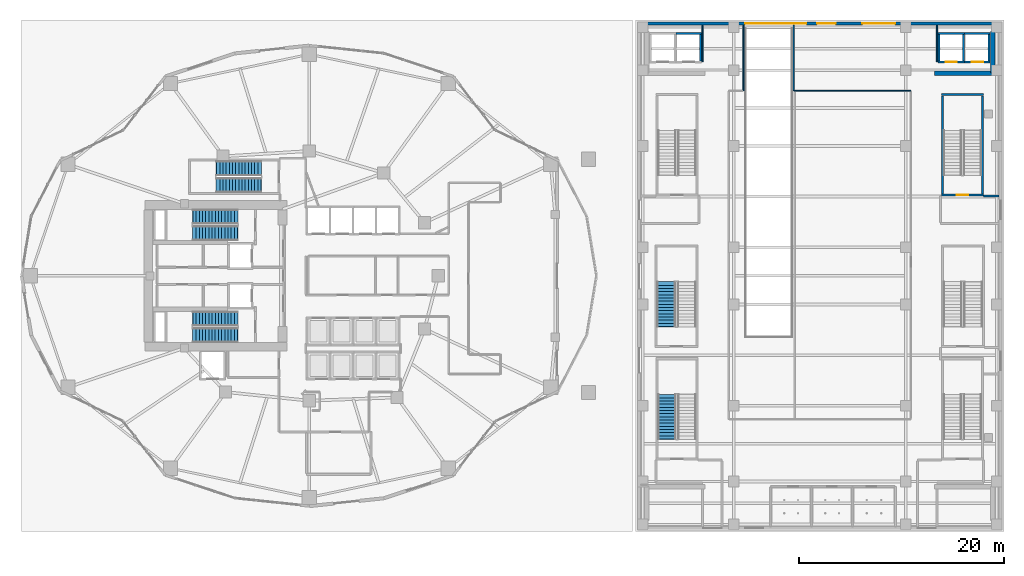
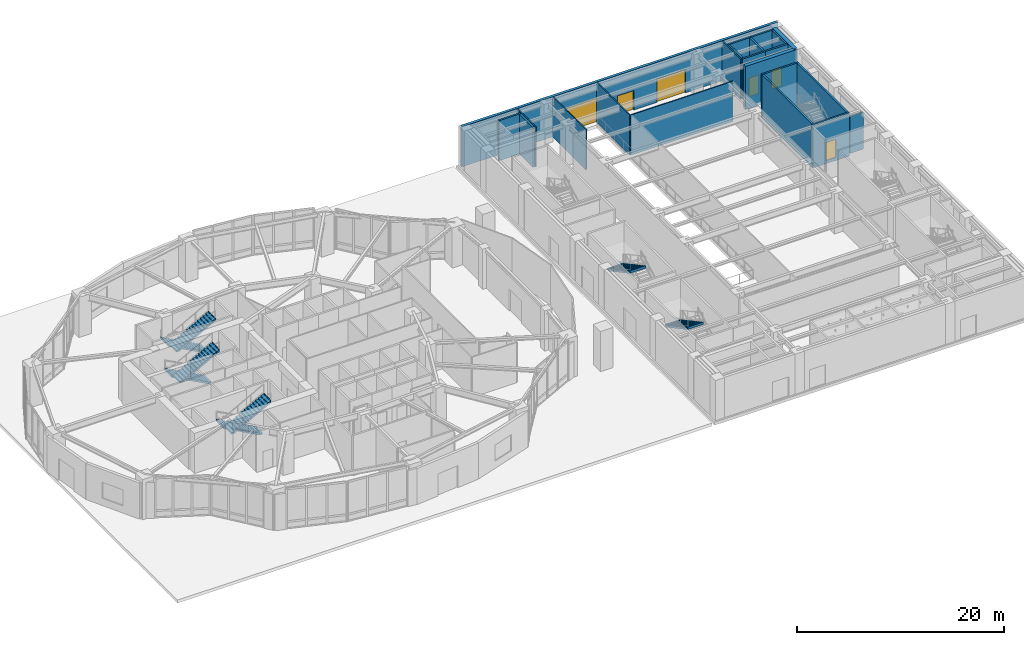
# One storey, part 16 of 23: 22 walls, 8 stair flights, 6 doors, 6 openings, 5 elements without a shape of their own.
"""IFC4 building model written with IfcOpenShell, lengths in metres."""

from ifc_helpers import new_model, si_unit, direction, frame, frame_2d, origin, place, context, subcontext, project, spatial, polyline, rectangle, outline, extrude, material, layer, layer_set, type_object, element, fill, aggregate, save


model = new_model("IFC4")

# Units and contexts
model_context = context("Model", 3, precision=1e-05, world=origin(), true_north=direction((0.0, 1.0)))
body_context = subcontext(model_context, "Body", "Model", "MODEL_VIEW")
ifc_project = project(units=[si_unit("LENGTHUNIT", "METRE"), si_unit("AREAUNIT", "SQUARE_METRE"), si_unit("VOLUMEUNIT", "CUBIC_METRE"), si_unit("PLANEANGLEUNIT", "RADIAN"), si_unit("MASSUNIT", "GRAM", prefix="KILO")], contexts=[model_context])

# Site, building, storey
site_placement = place(None, origin())
site = spatial("IfcSite", under=ifc_project, at=site_placement, CompositionType="ELEMENT")
building_placement = place(site_placement, origin())
building = spatial("IfcBuilding", under=site, at=building_placement, Name="Kolvaren Gate Tower and Convention Centre", CompositionType="ELEMENT")
storey_placement = place(building_placement, origin())
storey = spatial("IfcBuildingStorey", under=building, at=storey_placement, Name="L00", CompositionType="ELEMENT", Elevation=0.0)

# Walls
ifc_material_1 = material(Name="Fire-Rated Acoustic Gypsum Stud Partition", Category="gypsum")
ifc_layer_1 = layer(ifc_material_1, 0.1201171875)
ifc_layer_set_1 = layer_set([ifc_layer_1], Name="Fire-Rated Acoustic Gypsum Stud Partition")
wall_type_1 = type_object("IfcWallType", Name="ARCH-WL-PART-120", PredefinedType="PARTITIONING", material=ifc_layer_set_1)
for number, where, z_axis, x_axis, name in (
    (1, (68.550048828125, 47.89990234375, 0.0), (0.0, 0.0, 1.0), (0.0, 1.0, 0.0), "Interior Partition WL-L00-INT-058"),
    (2, (91.449951171875, 47.89990234375, 0.0), (0.0, 0.0, 1.0), (0.0, 1.0, 0.0), "Interior Partition WL-L00-INT-070"),
):
    element("IfcWall", number, at=place(storey_placement, frame(where, z_axis=z_axis, x_axis=x_axis)), inside=storey, type_object=wall_type_1, Name=name, PredefinedType="PARTITIONING", context=body_context, shape_type="SweptSolid", body=[
        extrude(rectangle(XDim=3.59814453125, YDim=0.1201171875, at=frame_2d((1.799072265625, 0.0))), origin(), (0.0, 0.0, 1.0), 4.739990234375),
    ])
for number, where, z_axis, x_axis, name in (
    (3, (77.449951171875, 45.10009765625, 0.0), (0.0, 0.0, 1.0), (0.0, 1.0, 0.0), "Interior Partition WL-L00-INT-076"),
    (4, (72.550048828125, 45.10009765625, 0.0), (0.0, 0.0, 1.0), (0.0, 1.0, 0.0), "Interior Partition WL-L00-INT-077"),
):
    element("IfcWall", number, at=place(storey_placement, frame(where, z_axis=z_axis, x_axis=x_axis)), inside=storey, type_object=wall_type_1, Name=name, PredefinedType="PARTITIONING", context=body_context, shape_type="SweptSolid", body=[
        extrude(rectangle(XDim=6.39794921875, YDim=0.1201171875, at=frame_2d((3.198974609375, 0.0))), origin(), (0.0, 0.0, 1.0), 4.739990234375),
    ])
wall_1_placement = place(storey_placement, frame((77.511962890625, 45.10009765625, 0.0), z_axis=(0.0, 0.0, 1.0), x_axis=(1.0, 0.0, 0.0)))
element("IfcWall", 5, at=wall_1_placement, inside=storey, type_object=wall_type_1, Name="Interior Partition WL-L00-INT-079", PredefinedType="PARTITIONING", context=body_context, shape_type="SweptSolid", body=[
    extrude(rectangle(XDim=11.387939453125, YDim=0.1201171875, at=frame_2d((5.69384765625, 0.0))), origin(), (0.0, 0.0, 1.0), 4.739990234375),
])
ifc_material_2 = material(Name="Autoclaved Aerated Masonry Blockwork Class 4 (4.0 MPa)", Category="masonry")
ifc_layer_2 = layer(ifc_material_2, 0.199951171875)
ifc_layer_set_2 = layer_set([ifc_layer_2], Name="Autoclaved Aerated Masonry Blockwork Class 4 (4.0 MPa)")
wall_type_2 = type_object("IfcWallType", Name="ARCH-WL-SHAFT-200", PredefinedType="SOLIDWALL", material=ifc_layer_set_2)
wall_2_placement = place(storey_placement, frame((65.949951171875, 50.699951171875, 0.0), z_axis=(0.0, 0.0, 1.0), x_axis=(1.0, 0.0, 0.0)))
element("IfcWall", 6, at=wall_2_placement, inside=storey, type_object=wall_type_2, Name="Elevator CL-02 L00 Fire Shaft Wall N", PredefinedType="SOLIDWALL", context=body_context, shape_type="SweptSolid", body=[
    extrude(rectangle(XDim=2.5, YDim=0.199951171875, at=frame_2d((1.25, 0.0))), origin(), (0.0, 0.0, 1.0), 4.739990234375),
])
wall_3_placement = place(storey_placement, frame((68.35009765625, 48.010009765625, 0.0), z_axis=(0.0, 0.0, 1.0), x_axis=(0.0, 1.0, 0.0)))
element("IfcWall", 7, at=wall_3_placement, inside=storey, type_object=wall_type_2, Name="Elevator CL-02 L00 Fire Shaft Wall E", PredefinedType="SOLIDWALL", context=body_context, shape_type="SweptSolid", body=[
    extrude(rectangle(XDim=2.580078125, YDim=0.199951171875, at=frame_2d((1.2900390625, 0.0))), origin(), (0.0, 0.0, 1.0), 4.739990234375),
])
wall_4_placement = place(storey_placement, frame((91.550048828125, 50.699951171875, 0.0), z_axis=(0.0, 0.0, 1.0), x_axis=(1.0, 0.0, 0.0)))
element("IfcWall", 8, at=wall_4_placement, inside=storey, type_object=wall_type_2, Name="Elevator CL-03 L00 Fire Shaft Wall N", PredefinedType="SOLIDWALL", context=body_context, shape_type="SweptSolid", body=[
    extrude(rectangle(XDim=2.599853515625, YDim=0.199951171875, at=frame_2d((1.2998046875, 0.0))), origin(), (0.0, 0.0, 1.0), 4.739990234375),
])

# Wall, opening, door
wall_5_placement = place(storey_placement, frame((91.550048828125, 47.89990234375, 0.0), z_axis=(0.0, 0.0, 1.0), x_axis=(1.0, 0.0, 0.0)))
wall_5 = element("IfcWall", 9, at=wall_5_placement, inside=storey, type_object=wall_type_2, Name="Elevator CL-03 L00 Fire Shaft Wall S", PredefinedType="SOLIDWALL", context=body_context, shape_type="SweptSolid", body=[
    extrude(rectangle(XDim=2.599853515625, YDim=0.199951171875, at=frame_2d((1.2998046875, 0.0))), origin(), (0.0, 0.0, 1.0), 4.739990234375),
])
opening_1_placement = place(wall_5_placement, frame((0.75, 0.0, 0.0)))
opening_1 = element("IfcOpeningElement", 10, at=opening_1_placement, cuts=wall_5, Name="Opening LD", PredefinedType="OPENING", context=body_context, shape_type="SweptSolid", body=[
    extrude(rectangle(XDim=1.10009765625, YDim=2.199951171875, at=frame_2d((0.550048828125, 1.10009765625))), frame((0.0, 0.10986328125, 0.0), z_axis=(0.0, -1.0, 0.0), x_axis=(1.0, 0.0, 0.0)), (0.0, 0.0, 1.0), 0.219970703125),
])
ifc_material_3 = material(Name="Brushed Stainless Steel Grade 316L", Category="steel")
door_type_1 = type_object("IfcDoorType", Name="ARCH-DR-LIFT-1100", OperationType="SLIDING_TO_LEFT", PredefinedType="DOOR", material=ifc_material_3)
door_1_placement = place(opening_1_placement, origin())
door_1 = element("IfcDoor", 11, at=door_1_placement, inside=storey, type_object=door_type_1, Name="Elevator CL-03 L00 Sliding Landing Door", OperationType="SLIDING_TO_LEFT", OverallHeight=2.199951171875, OverallWidth=1.10009765625, PredefinedType="DOOR", context=body_context, shape_type="SweptSolid", body=[
    extrude(rectangle(XDim=1.10009765625, YDim=2.199951171875, at=frame_2d((0.550048828125, 1.10009765625))), frame((0.0, 0.02490234375, 0.0), z_axis=(0.0, -1.0, 0.0), x_axis=(1.0, 0.0, 0.0)), (0.0, 0.0, 1.0), 0.050048828125),
])
fill(opening_1, door_1)

# Walls
for number, where, z_axis, x_axis, name in (
    (12, (91.64990234375, 48.010009765625, 0.0), (0.0, 0.0, 1.0), (0.0, 1.0, 0.0), "Elevator CL-03 L00 Fire Shaft Wall W"),
    (13, (94.050048828125, 48.010009765625, 0.0), (0.0, 0.0, 1.0), (0.0, 1.0, 0.0), "Elevator CL-03 L00 Fire Shaft Wall E"),
):
    element("IfcWall", number, at=place(storey_placement, frame(where, z_axis=z_axis, x_axis=x_axis)), inside=storey, type_object=wall_type_2, Name=name, PredefinedType="SOLIDWALL", context=body_context, shape_type="SweptSolid", body=[
        extrude(rectangle(XDim=2.580078125, YDim=0.199951171875, at=frame_2d((1.2900390625, 0.0))), origin(), (0.0, 0.0, 1.0), 4.739990234375),
    ])
wall_6_placement = place(storey_placement, frame((94.14990234375, 50.699951171875, 0.0), z_axis=(0.0, 0.0, 1.0), x_axis=(1.0, 0.0, 0.0)))
element("IfcWall", 14, at=wall_6_placement, inside=storey, type_object=wall_type_2, Name="Elevator CL-04 L00 Fire Shaft Wall N", PredefinedType="SOLIDWALL", context=body_context, shape_type="SweptSolid", body=[
    extrude(rectangle(XDim=2.5, YDim=0.199951171875, at=frame_2d((1.25, 0.0))), origin(), (0.0, 0.0, 1.0), 4.739990234375),
])

# Wall, opening, door
wall_7_placement = place(storey_placement, frame((94.14990234375, 47.89990234375, 0.0), z_axis=(0.0, 0.0, 1.0), x_axis=(1.0, 0.0, 0.0)))
wall_7 = element("IfcWall", 15, at=wall_7_placement, inside=storey, type_object=wall_type_2, Name="Elevator CL-04 L00 Fire Shaft Wall S", PredefinedType="SOLIDWALL", context=body_context, shape_type="SweptSolid", body=[
    extrude(rectangle(XDim=2.5, YDim=0.199951171875, at=frame_2d((1.25, 0.0))), origin(), (0.0, 0.0, 1.0), 4.739990234375),
])
opening_2_placement = place(wall_7_placement, frame((0.699951171875, 0.0, 0.0)))
opening_2 = element("IfcOpeningElement", 16, at=opening_2_placement, cuts=wall_7, Name="Opening LD", PredefinedType="OPENING", context=body_context, shape_type="SweptSolid", body=[
    extrude(rectangle(XDim=1.10009765625, YDim=2.199951171875, at=frame_2d((0.550048828125, 1.10009765625))), frame((0.0, 0.10986328125, 0.0), z_axis=(0.0, -1.0, 0.0), x_axis=(1.0, 0.0, 0.0)), (0.0, 0.0, 1.0), 0.219970703125),
])
door_2_placement = place(opening_2_placement, origin())
door_2 = element("IfcDoor", 17, at=door_2_placement, inside=storey, type_object=door_type_1, Name="Elevator CL-04 L00 Sliding Landing Door", OperationType="SLIDING_TO_LEFT", OverallHeight=2.199951171875, OverallWidth=1.10009765625, PredefinedType="DOOR", context=body_context, shape_type="SweptSolid", body=[
    extrude(rectangle(XDim=1.10009765625, YDim=2.199951171875, at=frame_2d((0.550048828125, 1.10009765625))), frame((0.0, 0.02490234375, 0.0), z_axis=(0.0, -1.0, 0.0), x_axis=(1.0, 0.0, 0.0)), (0.0, 0.0, 1.0), 0.050048828125),
])
fill(opening_2, door_2)

# Walls
wall_8_placement = place(storey_placement, frame((96.550048828125, 48.010009765625, 0.0), z_axis=(0.0, 0.0, 1.0), x_axis=(0.0, 1.0, 0.0)))
element("IfcWall", 18, at=wall_8_placement, inside=storey, type_object=wall_type_2, Name="Elevator CL-04 L00 Fire Shaft Wall E", PredefinedType="SOLIDWALL", context=body_context, shape_type="SweptSolid", body=[
    extrude(rectangle(XDim=2.580078125, YDim=0.199951171875, at=frame_2d((1.2900390625, 0.0))), origin(), (0.0, 0.0, 1.0), 4.739990234375),
])
wall_9_placement = place(storey_placement, frame((96.0, 34.800048828125, 0.0), z_axis=(0.0, 0.0, 1.0), x_axis=(1.0, 0.0, 0.0)))
element("IfcWall", 19, at=wall_9_placement, inside=storey, type_object=wall_type_2, Name="Interior Partition WL-L00-INT-056", PredefinedType="SOLIDWALL", context=body_context, shape_type="SweptSolid", body=[
    extrude(rectangle(XDim=1.498046875, YDim=0.199951171875, at=frame_2d((0.7490234375, 0.0))), origin(), (0.0, 0.0, 1.0), 4.375),
])

# Wall, openings, doors
ifc_material_4 = material(Name="Piedmont Cream Honed Limestone Cladding", Category="masonry")
ifc_layer_3 = layer(ifc_material_4, 0.300048828125)
ifc_layer_set_3 = layer_set([ifc_layer_3], Name="Piedmont Cream Honed Limestone Cladding")
wall_type_3 = type_object("IfcWallType", Name="ARCH-WL-STONE-300", PredefinedType="SOLIDWALL", material=ifc_layer_set_3)
wall_10_placement = place(storey_placement, frame((62.35009765625, 51.64990234375, 0.0), z_axis=(0.0, 0.0, 1.0), x_axis=(1.0, 0.0, 0.0)))
wall_10 = element("IfcWall", 20, at=wall_10_placement, inside=storey, type_object=wall_type_3, Name="Convention Centre L00 N Stone Facade Wall", PredefinedType="SOLIDWALL", context=body_context, shape_type="SweptSolid", body=[
    extrude(rectangle(XDim=35.2998046875, YDim=0.300048828125, at=frame_2d((17.64990234375, 0.0))), origin(), (0.0, 0.0, 1.0), 4.739990234375),
])
opening_3_placement = place(wall_10_placement, frame((10.35009765625, 0.0, 0.0)))
opening_3 = element("IfcOpeningElement", 21, at=opening_3_placement, cuts=wall_10, Name="Opening VG-01", PredefinedType="OPENING", context=body_context, shape_type="SweptSolid", body=[
    extrude(rectangle(XDim=6.0, YDim=2.85009765625, at=frame_2d((3.0, 1.425048828125))), frame((0.0, 0.159912109375, 0.0), z_axis=(0.0, -1.0, 0.0), x_axis=(1.0, 0.0, 0.0)), (0.0, 0.0, 1.0), 0.320068359375),
])
opening_4_placement = place(wall_10_placement, frame((17.39990234375, 0.0, 0.0)))
opening_4 = element("IfcOpeningElement", 22, at=opening_4_placement, cuts=wall_10, Name="Opening DX-01", PredefinedType="OPENING", context=body_context, shape_type="SweptSolid", body=[
    extrude(rectangle(XDim=1.800048828125, YDim=2.300048828125, at=frame_2d((0.89990234375, 1.14990234375))), frame((0.0, 0.159912109375, 0.0), z_axis=(0.0, -1.0, 0.0), x_axis=(1.0, 0.0, 0.0)), (0.0, 0.0, 1.0), 0.320068359375),
])
opening_5_placement = place(wall_10_placement, frame((21.800048828125, 0.0, 0.0)))
opening_5 = element("IfcOpeningElement", 23, at=opening_5_placement, cuts=wall_10, Name="Opening DG-01", PredefinedType="OPENING", context=body_context, shape_type="SweptSolid", body=[
    extrude(rectangle(XDim=3.199951171875, YDim=2.75, at=frame_2d((1.60009765625, 1.375))), frame((0.0, 0.159912109375, 0.0), z_axis=(0.0, -1.0, 0.0), x_axis=(1.0, 0.0, 0.0)), (0.0, 0.0, 1.0), 0.320068359375),
])
ifc_material_5 = material(Name="Anodized Architectural Aluminium Alloy 6063-T6", Category="aluminium")
door_type_2 = type_object("IfcDoorType", Name="ARCH-DR-DOCK-3200", OperationType="ROLLINGUP", PredefinedType="GATE", material=ifc_material_5)
door_3_placement = place(opening_5_placement, origin())
door_3 = element("IfcDoor", 24, at=door_3_placement, inside=storey, type_object=door_type_2, Name="Convention Service Loading Bay Gate DG-01", OperationType="ROLLINGUP", OverallHeight=2.75, OverallWidth=3.199951171875, PredefinedType="GATE", context=body_context, shape_type="SweptSolid", body=[
    extrude(rectangle(XDim=3.199951171875, YDim=2.75, at=frame_2d((1.60009765625, 1.375))), frame((0.0, 0.02490234375, 0.0), z_axis=(0.0, -1.0, 0.0), x_axis=(1.0, 0.0, 0.0)), (0.0, 0.0, 1.0), 0.050048828125),
])
fill(opening_5, door_3)
door_type_3 = type_object("IfcDoorType", Name="ARCH-DR-EXIT-1800", OperationType="DOUBLE_DOOR_SINGLE_SWING", PredefinedType="DOOR", material=ifc_material_5)
door_4_placement = place(opening_4_placement, origin())
door_4 = element("IfcDoor", 25, at=door_4_placement, inside=storey, type_object=door_type_3, Name="Convention N Exit Discharge Door", OperationType="DOUBLE_DOOR_SINGLE_SWING", OverallHeight=2.300048828125, OverallWidth=1.800048828125, PredefinedType="DOOR", context=body_context, shape_type="SweptSolid", body=[
    extrude(rectangle(XDim=1.800048828125, YDim=2.300048828125, at=frame_2d((0.89990234375, 1.14990234375))), frame((0.0, 0.02490234375, 0.0), z_axis=(0.0, -1.0, 0.0), x_axis=(1.0, 0.0, 0.0)), (0.0, 0.0, 1.0), 0.050048828125),
])
fill(opening_4, door_4)
door_type_4 = type_object("IfcDoorType", Name="ARCH-DR-VGATE-6000", OperationType="ROLLINGUP", PredefinedType="GATE", material=ifc_material_5)
door_5_placement = place(opening_3_placement, origin())
door_5 = element("IfcDoor", 26, at=door_5_placement, inside=storey, type_object=door_type_4, Name="Basement Car Park Vehicular Entry Gate VG-01", OperationType="ROLLINGUP", OverallHeight=2.85009765625, OverallWidth=6.0, PredefinedType="GATE", context=body_context, shape_type="SweptSolid", body=[
    extrude(rectangle(XDim=6.0, YDim=2.85009765625, at=frame_2d((3.0, 1.425048828125))), frame((0.0, 0.02490234375, 0.0), z_axis=(0.0, -1.0, 0.0), x_axis=(1.0, 0.0, 0.0)), (0.0, 0.0, 1.0), 0.050048828125),
])
fill(opening_3, door_5)

# Walls
ifc_material_6 = material(Name="Concrete C50/60", Category="concrete")
ifc_layer_4 = layer(ifc_material_6, 0.419921875)
ifc_layer_set_4 = layer_set([ifc_layer_4], Name="Concrete C50/60")
wall_type_4 = type_object("IfcWallType", Name="STR-WL-CONV-420", PredefinedType="SHEAR", material=ifc_layer_set_4)
wall_11_placement = place(storey_placement, frame((96.89990234375, 46.800048828125, -0.360107421875), z_axis=(0.0, 0.0, 1.0), x_axis=(0.0, 1.0, 0.0)))
element("IfcWall", 27, at=wall_11_placement, inside=storey, type_object=wall_type_4, Name="Convention L00 Shear Core Wall CCNE-E", PredefinedType="SHEAR", context=body_context, shape_type="SweptSolid", body=[
    extrude(rectangle(XDim=4.099853515625, YDim=0.419921875, at=frame_2d((2.0498046875, 0.0))), origin(), (0.0, 0.0, 1.0), 5.10009765625),
])
wall_12_placement = place(storey_placement, frame((91.199951171875, 46.800048828125, -0.360107421875), z_axis=(0.0, 0.0, 1.0), x_axis=(1.0, 0.0, 0.0)))
element("IfcWall", 28, at=wall_12_placement, inside=storey, type_object=wall_type_4, Name="Convention L00 Shear Core Wall CCNE-S", PredefinedType="SHEAR", context=body_context, shape_type="SweptSolid", body=[
    extrude(rectangle(XDim=5.699951171875, YDim=0.419921875, at=frame_2d((2.85009765625, 0.0))), origin(), (0.0, 0.0, 1.0), 5.10009765625),
])

# Wall, opening, door
ifc_layer_5 = layer(ifc_material_6, 0.199951171875)
ifc_layer_set_5 = layer_set([ifc_layer_5], Name="Concrete C50/60")
wall_type_5 = type_object("IfcWallType", Name="STR-WL-SHAFT-200", PredefinedType="SHEAR", material=ifc_layer_set_5)
wall_13_placement = place(storey_placement, frame((91.89990234375, 34.89990234375, -0.360107421875), z_axis=(0.0, 0.0, 1.0), x_axis=(1.0, 0.0, 0.0)))
wall_13 = element("IfcWall", 29, at=wall_13_placement, inside=storey, type_object=wall_type_5, Name="Convention NE Exit Stair ST-C3 L00 Structural Shear Enclosure Wall NEAR", PredefinedType="SHEAR", context=body_context, shape_type="SweptSolid", body=[
    extrude(rectangle(XDim=4.10009765625, YDim=0.199951171875, at=frame_2d((2.050048828125, 0.0))), origin(), (0.0, 0.0, 1.0), 5.10009765625),
])
opening_6_placement = place(wall_13_placement, frame((1.5, 0.0, 0.360107421875)))
opening_6 = element("IfcOpeningElement", 30, at=opening_6_placement, cuts=wall_13, Name="Opening DS-01", PredefinedType="OPENING", context=body_context, shape_type="SweptSolid", body=[
    extrude(rectangle(XDim=1.10009765625, YDim=2.14990234375, at=frame_2d((0.550048828125, 1.074951171875))), frame((0.0, 0.10986328125, 0.0), z_axis=(0.0, -1.0, 0.0), x_axis=(1.0, 0.0, 0.0)), (0.0, 0.0, 1.0), 0.219970703125),
])
ifc_material_7 = material(Name="Painted Architectural Steelwork ASTM A500 Grade C 345 MPa", Category="steel")
door_type_5 = type_object("IfcDoorType", Name="ARCH-DR-STAIR-1100", OperationType="SINGLE_SWING_LEFT", PredefinedType="DOOR", material=ifc_material_7)
door_6_placement = place(opening_6_placement, origin())
door_6 = element("IfcDoor", 31, at=door_6_placement, inside=storey, type_object=door_type_5, Name="Convention NE Exit Stair ST-C3 L00 Fire Exit Stair Door", OperationType="SINGLE_SWING_RIGHT", OverallHeight=2.14990234375, OverallWidth=1.10009765625, PredefinedType="DOOR", context=body_context, shape_type="SweptSolid", body=[
    extrude(rectangle(XDim=1.10009765625, YDim=2.14990234375, at=frame_2d((0.550048828125, 1.074951171875))), frame((0.0, 0.02490234375, 0.0), z_axis=(0.0, -1.0, 0.0), x_axis=(1.0, 0.0, 0.0)), (0.0, 0.0, 1.0), 0.050048828125),
])
fill(opening_6, door_6)

# Walls
wall_14_placement = place(storey_placement, frame((91.89990234375, 44.699951171875, -0.360107421875), z_axis=(0.0, 0.0, 1.0), x_axis=(1.0, 0.0, 0.0)))
element("IfcWall", 32, at=wall_14_placement, inside=storey, type_object=wall_type_5, Name="Convention NE Exit Stair ST-C3 L00 Structural Shear Enclosure Wall FAR", PredefinedType="SHEAR", context=body_context, shape_type="SweptSolid", body=[
    extrude(rectangle(XDim=4.10009765625, YDim=0.199951171875, at=frame_2d((2.050048828125, 0.0))), origin(), (0.0, 0.0, 1.0), 5.10009765625),
])
for number, where, z_axis, x_axis, name in (
    (33, (92.0, 35.001953125, -0.360107421875), (0.0, 0.0, 1.0), (0.0, 1.0, 0.0), "Convention NE Exit Stair ST-C3 L00 Structural Shear Enclosure Wall WEST"),
    (34, (95.89990234375, 35.001953125, -0.360107421875), (0.0, 0.0, 1.0), (0.0, 1.0, 0.0), "Convention NE Exit Stair ST-C3 L00 Structural Shear Enclosure Wall EAST"),
):
    element("IfcWall", number, at=place(storey_placement, frame(where, z_axis=z_axis, x_axis=x_axis)), inside=storey, type_object=wall_type_5, Name=name, PredefinedType="SHEAR", context=body_context, shape_type="SweptSolid", body=[
        extrude(rectangle(XDim=9.595947265625, YDim=0.199951171875, at=frame_2d((4.7978515625, 0.0))), origin(), (0.0, 0.0, 1.0), 5.10009765625),
    ])

# Stair, stair flights
stair_type_1 = type_object("IfcStairType", Name="STR-STAIR-CORE", PredefinedType="HALF_TURN_STAIR", material=ifc_material_6)
stair_1_placement = place(storey_placement, origin())
stair_1 = element("IfcStair", 35, at=stair_1_placement, inside=storey, type_object=stair_type_1, Name="L00 Tower North Exit Stair ST-T1", PredefinedType="HALF_TURN_STAIR")
stair_flight_type_1 = type_object("IfcStairFlightType", Name="STR-SFL-1420", PredefinedType="STRAIGHT", material=ifc_material_6)
stair_flight_1_placement = place(storey_placement, frame((23.10009765625, 32.7900390625, 0.0), z_axis=(0.0, 0.0, 1.0), x_axis=(-1.0, 0.0, 0.0)))
stair_flight_1 = element("IfcStairFlight", 36, at=stair_flight_1_placement, type_object=stair_flight_type_1, Name="ST-T1 flight 1", NumberOfRisers=15, NumberOfTreads=14, PredefinedType="STRAIGHT", RiserHeight=0.166666667, TreadLength=0.31, context=body_context, shape_type="SweptSolid", body=[
    extrude(outline(polyline([(-0.034912109375, 0.0), (-0.034912109375, 0.166748046875), (0.31005859375, 0.166748046875), (0.31005859375, 0.333251953125), (0.6201171875, 0.333251953125), (0.6201171875, 0.5), (0.929931640625, 0.5), (0.929931640625, 0.666748046875), (1.239990234375, 0.666748046875), (1.239990234375, 0.833251953125), (1.550048828125, 0.833251953125), (1.550048828125, 1.0), (1.860107421875, 1.0), (1.860107421875, 1.166748046875), (2.169921875, 1.166748046875), (2.169921875, 1.333251953125), (2.47998046875, 1.333251953125), (2.47998046875, 1.5), (2.7900390625, 1.5), (2.7900390625, 1.666748046875), (3.10009765625, 1.666748046875), (3.10009765625, 1.833251953125), (3.409912109375, 1.833251953125), (3.409912109375, 2.0), (3.719970703125, 2.0), (3.719970703125, 2.166748046875), (4.030029296875, 2.166748046875), (4.030029296875, 2.333251953125), (4.340087890625, 2.333251953125), (4.340087890625, 2.5), (4.385009765625, 2.5), (4.385009765625, 2.340087890625), (4.340087890625, 2.1630859375), (0.316650390625, 0.0), (-0.034912109375, 0.0)])), frame((0.0, 0.7099609375, 0.0), z_axis=(0.0, -1.0, 0.0), x_axis=(1.0, 0.0, 0.0)), (0.0, 0.0, 1.0), 1.419921875),
])
stair_flight_2_placement = place(storey_placement, frame((18.760009765625, 31.169921875, 2.5), z_axis=(0.0, 0.0, 1.0), x_axis=(1.0, 0.0, 0.0)))
stair_flight_2 = element("IfcStairFlight", 37, at=stair_flight_2_placement, type_object=stair_flight_type_1, Name="ST-T1 flight 2", NumberOfRisers=15, NumberOfTreads=14, PredefinedType="STRAIGHT", RiserHeight=0.166666667, TreadLength=0.31, context=body_context, shape_type="SweptSolid", body=[
    extrude(outline(polyline([(-0.034912109375, 0.0), (-0.034912109375, 0.166748046875), (0.31005859375, 0.166748046875), (0.31005859375, 0.333251953125), (0.6201171875, 0.333251953125), (0.6201171875, 0.5), (0.929931640625, 0.5), (0.929931640625, 0.666748046875), (1.239990234375, 0.666748046875), (1.239990234375, 0.833251953125), (1.550048828125, 0.833251953125), (1.550048828125, 1.0), (1.860107421875, 1.0), (1.860107421875, 1.166748046875), (2.169921875, 1.166748046875), (2.169921875, 1.333251953125), (2.47998046875, 1.333251953125), (2.47998046875, 1.5), (2.7900390625, 1.5), (2.7900390625, 1.666748046875), (3.10009765625, 1.666748046875), (3.10009765625, 1.833251953125), (3.409912109375, 1.833251953125), (3.409912109375, 2.0), (3.719970703125, 2.0), (3.719970703125, 2.166748046875), (4.030029296875, 2.166748046875), (4.030029296875, 2.333251953125), (4.340087890625, 2.333251953125), (4.340087890625, 2.5), (4.385009765625, 2.5), (4.385009765625, 2.340087890625), (4.340087890625, 2.1630859375), (0.316650390625, 0.0), (-0.034912109375, 0.0)])), frame((0.0, 0.7099609375, 0.0), z_axis=(0.0, -1.0, 0.0), x_axis=(1.0, 0.0, 0.0)), (0.0, 0.0, 1.0), 1.419921875),
])
aggregate(stair_1, [stair_flight_1, stair_flight_2])

stair_2_placement = place(storey_placement, origin())
stair_2 = element("IfcStair", 38, at=stair_2_placement, inside=storey, type_object=stair_type_1, Name="L00 Tower South Exit Stair ST-T2", PredefinedType="HALF_TURN_STAIR")
stair_flight_3_placement = place(storey_placement, frame((23.10009765625, 22.830078125, 0.0), z_axis=(0.0, 0.0, 1.0), x_axis=(-1.0, 0.0, 0.0)))
stair_flight_3 = element("IfcStairFlight", 39, at=stair_flight_3_placement, type_object=stair_flight_type_1, Name="ST-T2 flight 1", NumberOfRisers=15, NumberOfTreads=14, PredefinedType="STRAIGHT", RiserHeight=0.166666667, TreadLength=0.31, context=body_context, shape_type="SweptSolid", body=[
    extrude(outline(polyline([(-0.034912109375, 0.0), (-0.034912109375, 0.166748046875), (0.31005859375, 0.166748046875), (0.31005859375, 0.333251953125), (0.6201171875, 0.333251953125), (0.6201171875, 0.5), (0.929931640625, 0.5), (0.929931640625, 0.666748046875), (1.239990234375, 0.666748046875), (1.239990234375, 0.833251953125), (1.550048828125, 0.833251953125), (1.550048828125, 1.0), (1.860107421875, 1.0), (1.860107421875, 1.166748046875), (2.169921875, 1.166748046875), (2.169921875, 1.333251953125), (2.47998046875, 1.333251953125), (2.47998046875, 1.5), (2.7900390625, 1.5), (2.7900390625, 1.666748046875), (3.10009765625, 1.666748046875), (3.10009765625, 1.833251953125), (3.409912109375, 1.833251953125), (3.409912109375, 2.0), (3.719970703125, 2.0), (3.719970703125, 2.166748046875), (4.030029296875, 2.166748046875), (4.030029296875, 2.333251953125), (4.340087890625, 2.333251953125), (4.340087890625, 2.5), (4.385009765625, 2.5), (4.385009765625, 2.340087890625), (4.340087890625, 2.1630859375), (0.316650390625, 0.0), (-0.034912109375, 0.0)])), frame((0.0, 0.7099609375, 0.0), z_axis=(0.0, -1.0, 0.0), x_axis=(1.0, 0.0, 0.0)), (0.0, 0.0, 1.0), 1.419921875),
])
stair_flight_4_placement = place(storey_placement, frame((18.760009765625, 21.2099609375, 2.5), z_axis=(0.0, 0.0, 1.0), x_axis=(1.0, 0.0, 0.0)))
stair_flight_4 = element("IfcStairFlight", 40, at=stair_flight_4_placement, type_object=stair_flight_type_1, Name="ST-T2 flight 2", NumberOfRisers=15, NumberOfTreads=14, PredefinedType="STRAIGHT", RiserHeight=0.166666667, TreadLength=0.31, context=body_context, shape_type="SweptSolid", body=[
    extrude(outline(polyline([(-0.034912109375, 0.0), (-0.034912109375, 0.166748046875), (0.31005859375, 0.166748046875), (0.31005859375, 0.333251953125), (0.6201171875, 0.333251953125), (0.6201171875, 0.5), (0.929931640625, 0.5), (0.929931640625, 0.666748046875), (1.239990234375, 0.666748046875), (1.239990234375, 0.833251953125), (1.550048828125, 0.833251953125), (1.550048828125, 1.0), (1.860107421875, 1.0), (1.860107421875, 1.166748046875), (2.169921875, 1.166748046875), (2.169921875, 1.333251953125), (2.47998046875, 1.333251953125), (2.47998046875, 1.5), (2.7900390625, 1.5), (2.7900390625, 1.666748046875), (3.10009765625, 1.666748046875), (3.10009765625, 1.833251953125), (3.409912109375, 1.833251953125), (3.409912109375, 2.0), (3.719970703125, 2.0), (3.719970703125, 2.166748046875), (4.030029296875, 2.166748046875), (4.030029296875, 2.333251953125), (4.340087890625, 2.333251953125), (4.340087890625, 2.5), (4.385009765625, 2.5), (4.385009765625, 2.340087890625), (4.340087890625, 2.1630859375), (0.316650390625, 0.0), (-0.034912109375, 0.0)])), frame((0.0, 0.7099609375, 0.0), z_axis=(0.0, -1.0, 0.0), x_axis=(1.0, 0.0, 0.0)), (0.0, 0.0, 1.0), 1.419921875),
])
aggregate(stair_2, [stair_flight_3, stair_flight_4])

stair_3_placement = place(storey_placement, origin())
stair_3 = element("IfcStair", 41, at=stair_3_placement, inside=storey, type_object=stair_type_1, Name="L00 Tower Mid-Zone Exit Stair ST-T3", PredefinedType="HALF_TURN_STAIR")
stair_flight_5_placement = place(storey_placement, frame((25.39990234375, 37.489990234375, 0.0), z_axis=(0.0, 0.0, 1.0), x_axis=(-1.0, 0.0, 0.0)))
stair_flight_5 = element("IfcStairFlight", 42, at=stair_flight_5_placement, type_object=stair_flight_type_1, Name="ST-T3 flight 1", NumberOfRisers=15, NumberOfTreads=14, PredefinedType="STRAIGHT", RiserHeight=0.166666667, TreadLength=0.31, context=body_context, shape_type="SweptSolid", body=[
    extrude(outline(polyline([(-0.034912109375, 0.0), (-0.034912109375, 0.166748046875), (0.31005859375, 0.166748046875), (0.31005859375, 0.333251953125), (0.6201171875, 0.333251953125), (0.6201171875, 0.5), (0.929931640625, 0.5), (0.929931640625, 0.666748046875), (1.239990234375, 0.666748046875), (1.239990234375, 0.833251953125), (1.550048828125, 0.833251953125), (1.550048828125, 1.0), (1.860107421875, 1.0), (1.860107421875, 1.166748046875), (2.169921875, 1.166748046875), (2.169921875, 1.333251953125), (2.47998046875, 1.333251953125), (2.47998046875, 1.5), (2.7900390625, 1.5), (2.7900390625, 1.666748046875), (3.10009765625, 1.666748046875), (3.10009765625, 1.833251953125), (3.409912109375, 1.833251953125), (3.409912109375, 2.0), (3.719970703125, 2.0), (3.719970703125, 2.166748046875), (4.030029296875, 2.166748046875), (4.030029296875, 2.333251953125), (4.340087890625, 2.333251953125), (4.340087890625, 2.5), (4.385009765625, 2.5), (4.385009765625, 2.340087890625), (4.340087890625, 2.1630859375), (0.316650390625, 0.0), (-0.034912109375, 0.0)])), frame((0.0, 0.7099609375, 0.0), z_axis=(0.0, -1.0, 0.0), x_axis=(1.0, 0.0, 0.0)), (0.0, 0.0, 1.0), 1.419921875),
])
stair_flight_6_placement = place(storey_placement, frame((21.06005859375, 35.8701171875, 2.5), z_axis=(0.0, 0.0, 1.0), x_axis=(1.0, 0.0, 0.0)))
stair_flight_6 = element("IfcStairFlight", 43, at=stair_flight_6_placement, type_object=stair_flight_type_1, Name="ST-T3 flight 2", NumberOfRisers=15, NumberOfTreads=14, PredefinedType="STRAIGHT", RiserHeight=0.166666667, TreadLength=0.31, context=body_context, shape_type="SweptSolid", body=[
    extrude(outline(polyline([(-0.034912109375, 0.0), (-0.034912109375, 0.166748046875), (0.31005859375, 0.166748046875), (0.31005859375, 0.333251953125), (0.6201171875, 0.333251953125), (0.6201171875, 0.5), (0.929931640625, 0.5), (0.929931640625, 0.666748046875), (1.239990234375, 0.666748046875), (1.239990234375, 0.833251953125), (1.550048828125, 0.833251953125), (1.550048828125, 1.0), (1.860107421875, 1.0), (1.860107421875, 1.166748046875), (2.169921875, 1.166748046875), (2.169921875, 1.333251953125), (2.47998046875, 1.333251953125), (2.47998046875, 1.5), (2.7900390625, 1.5), (2.7900390625, 1.666748046875), (3.10009765625, 1.666748046875), (3.10009765625, 1.833251953125), (3.409912109375, 1.833251953125), (3.409912109375, 2.0), (3.719970703125, 2.0), (3.719970703125, 2.166748046875), (4.030029296875, 2.166748046875), (4.030029296875, 2.333251953125), (4.340087890625, 2.333251953125), (4.340087890625, 2.5), (4.385009765625, 2.5), (4.385009765625, 2.340087890625), (4.340087890625, 2.1630859375), (0.316650390625, 0.0), (-0.034912109375, 0.0)])), frame((0.0, 0.7099609375, 0.0), z_axis=(0.0, -1.0, 0.0), x_axis=(1.0, 0.0, 0.0)), (0.0, 0.0, 1.0), 1.419921875),
])
aggregate(stair_3, [stair_flight_5, stair_flight_6])

# Stair, stair flight
stair_type_2 = type_object("IfcStairType", Name="STR-STAIR-CONV", PredefinedType="HALF_TURN_STAIR", material=ifc_material_6)
stair_4_placement = place(storey_placement, origin())
stair_4 = element("IfcStair", 44, at=stair_4_placement, inside=storey, type_object=stair_type_2, Name="L00 Convention SW Exit Stair ST-C2", PredefinedType="HALF_TURN_STAIR")
stair_flight_type_2 = type_object("IfcStairFlightType", Name="STR-SFL-1750", PredefinedType="STRAIGHT", material=ifc_material_6)
stair_flight_7_placement = place(storey_placement, frame((65.074951171875, 15.389892578125, 2.5), z_axis=(0.0, 0.0, 1.0), x_axis=(0.0, -1.0, 0.0)))
stair_flight_7 = element("IfcStairFlight", 45, at=stair_flight_7_placement, type_object=stair_flight_type_2, Name="ST-C2 flight 2", NumberOfRisers=15, NumberOfTreads=14, PredefinedType="STRAIGHT", RiserHeight=0.166666667, TreadLength=0.31, context=body_context, shape_type="SweptSolid", body=[
    extrude(outline(polyline([(-0.034912109375, 0.0), (-0.034912109375, 0.166748046875), (0.31005859375, 0.166748046875), (0.31005859375, 0.333251953125), (0.6201171875, 0.333251953125), (0.6201171875, 0.5), (0.929931640625, 0.5), (0.929931640625, 0.666748046875), (1.239990234375, 0.666748046875), (1.239990234375, 0.833251953125), (1.550048828125, 0.833251953125), (1.550048828125, 1.0), (1.860107421875, 1.0), (1.860107421875, 1.166748046875), (2.169921875, 1.166748046875), (2.169921875, 1.333251953125), (2.47998046875, 1.333251953125), (2.47998046875, 1.5), (2.7900390625, 1.5), (2.7900390625, 1.666748046875), (3.10009765625, 1.666748046875), (3.10009765625, 1.833251953125), (3.409912109375, 1.833251953125), (3.409912109375, 2.0), (3.719970703125, 2.0), (3.719970703125, 2.166748046875), (4.030029296875, 2.166748046875), (4.030029296875, 2.333251953125), (4.340087890625, 2.333251953125), (4.340087890625, 2.5), (4.385009765625, 2.5), (4.385009765625, 2.340087890625), (4.340087890625, 2.1630859375), (0.316650390625, 0.0), (-0.034912109375, 0.0)])), frame((0.0, 0.875, 0.0), z_axis=(0.0, -1.0, 0.0), x_axis=(1.0, 0.0, 0.0)), (0.0, 0.0, 1.0), 1.75),
])
aggregate(stair_4, [stair_flight_7])

stair_5_placement = place(storey_placement, origin())
stair_5 = element("IfcStair", 46, at=stair_5_placement, inside=storey, type_object=stair_type_2, Name="L00 Convention West Assembly Stair ST-C5", PredefinedType="HALF_TURN_STAIR")
stair_flight_8_placement = place(storey_placement, frame((65.0, 26.389892578125, 2.5), z_axis=(0.0, 0.0, 1.0), x_axis=(0.0, -1.0, 0.0)))
stair_flight_8 = element("IfcStairFlight", 47, at=stair_flight_8_placement, type_object=stair_flight_type_2, Name="ST-C5 flight 2", NumberOfRisers=15, NumberOfTreads=14, PredefinedType="STRAIGHT", RiserHeight=0.166666667, TreadLength=0.31, context=body_context, shape_type="SweptSolid", body=[
    extrude(outline(polyline([(-0.034912109375, 0.0), (-0.034912109375, 0.166748046875), (0.31005859375, 0.166748046875), (0.31005859375, 0.333251953125), (0.6201171875, 0.333251953125), (0.6201171875, 0.5), (0.929931640625, 0.5), (0.929931640625, 0.666748046875), (1.239990234375, 0.666748046875), (1.239990234375, 0.833251953125), (1.550048828125, 0.833251953125), (1.550048828125, 1.0), (1.860107421875, 1.0), (1.860107421875, 1.166748046875), (2.169921875, 1.166748046875), (2.169921875, 1.333251953125), (2.47998046875, 1.333251953125), (2.47998046875, 1.5), (2.7900390625, 1.5), (2.7900390625, 1.666748046875), (3.10009765625, 1.666748046875), (3.10009765625, 1.833251953125), (3.409912109375, 1.833251953125), (3.409912109375, 2.0), (3.719970703125, 2.0), (3.719970703125, 2.166748046875), (4.030029296875, 2.166748046875), (4.030029296875, 2.333251953125), (4.340087890625, 2.333251953125), (4.340087890625, 2.5), (4.385009765625, 2.5), (4.385009765625, 2.340087890625), (4.340087890625, 2.1630859375), (0.316650390625, 0.0), (-0.034912109375, 0.0)])), frame((0.0, 0.89990234375, 0.0), z_axis=(0.0, -1.0, 0.0), x_axis=(1.0, 0.0, 0.0)), (0.0, 0.0, 1.0), 1.800048828125),
])
aggregate(stair_5, [stair_flight_8])

save(model, "model.ifc")
